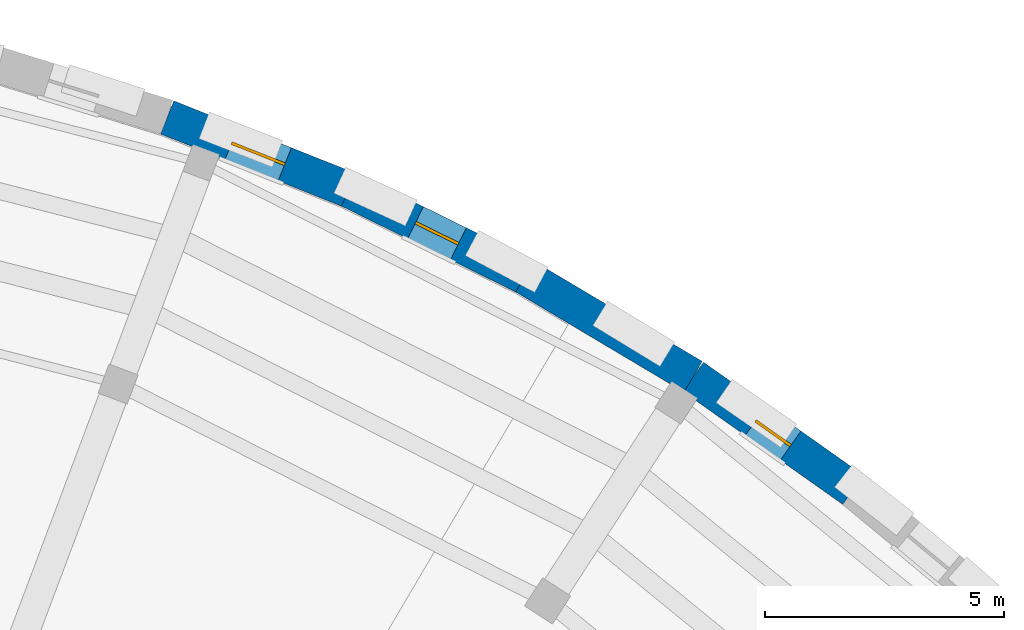
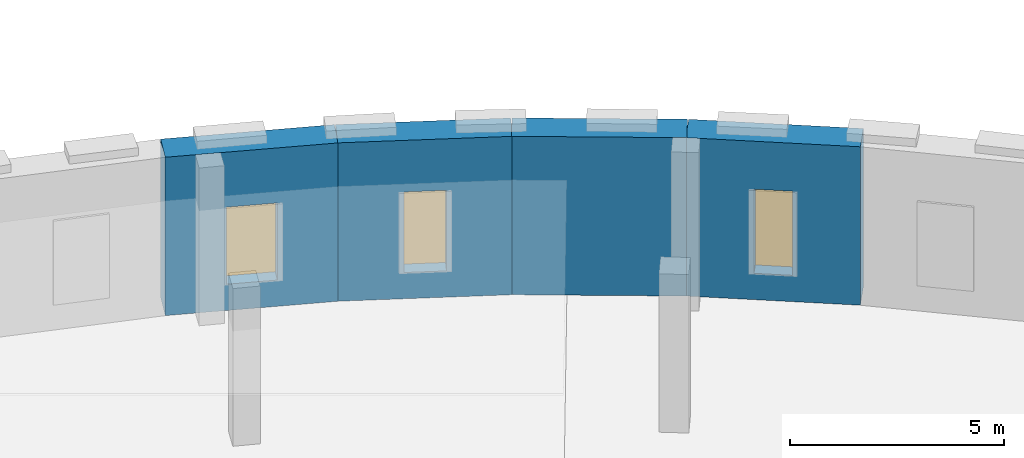
# One storey, part 59 of 75: 4 walls, 3 windows, 3 openings.
"""IFC4 building model written with IfcOpenShell, lengths in metres."""

import ifcopenshell
import ifcopenshell.guid

model = None  # the IFC model being written
_history = None  # IfcOwnerHistory: only IFC2X3 demands one
_inside = {}  # id of a spatial element -> (the spatial element, [elements in it])
_under = {}  # id of a project, library or spatial element -> (it, [spatial elements below it])
_declared = {}  # id of a project -> (the project, [libraries it declares])
_typed = {}  # id of a type object -> (the type object, [elements of that type])
_made_of = {}  # id of a material, layer set ... -> (it, [elements and type objects made of it])


def new_model(schema):
    """Start an empty IFC model of exactly this schema.

    Asked for "IFC4X3", IfcOpenShell would pick the latest addendum, in which some entities
    have other attributes; the version numbers below select the first issue.
    IFC2X3 requires an IfcOwnerHistory on every rooted entity: one is made here for all.
    """
    global model, _history
    if schema == "IFC4X3":
        model = ifcopenshell.file(schema_version=(4, 3, 0, 0))
    else:
        model = ifcopenshell.file(schema=schema)
    _inside.clear()
    _under.clear()
    _declared.clear()
    _typed.clear()
    _made_of.clear()
    _history = None
    if model.schema == "IFC2X3":
        org = make("IfcOrganization", Name="unknown")
        user = make(
            "IfcPersonAndOrganization",
            ThePerson=make("IfcPerson", FamilyName="unknown"),
            TheOrganization=org,
        )
        app = make(
            "IfcApplication",
            ApplicationDeveloper=org,
            Version="unknown",
            ApplicationFullName="unknown",
            ApplicationIdentifier="unknown",
        )
        _history = make(
            "IfcOwnerHistory",
            OwningUser=user,
            OwningApplication=app,
            ChangeAction="ADDED",
            CreationDate=0,
        )
    return model


def make(cls, **values):
    """One entity of the class cls with the attributes given. An attribute that is None is left unset."""
    return model.create_entity(
        cls, **{name: value for name, value in values.items() if value is not None}
    )


def rooted(cls, **values):
    """An entity with a GlobalId (a new one), such as an element, a storey or a relation."""
    return make(cls, GlobalId=ifcopenshell.guid.new(), OwnerHistory=_history, **values)


def si_unit(unit_type, name, prefix=None):
    """IfcSIUnit, for example si_unit("LENGTHUNIT", "METRE", prefix="MILLI")."""
    return make("IfcSIUnit", UnitType=unit_type, Prefix=prefix, Name=name)


def assignment(units):
    """IfcUnitAssignment: the units of a project."""
    return None if units is None else make("IfcUnitAssignment", Units=units)


def point(xyz):
    """IfcCartesianPoint."""
    return None if xyz is None else make("IfcCartesianPoint", Coordinates=xyz)


def direction(xyz):
    """IfcDirection."""
    return None if xyz is None else make("IfcDirection", DirectionRatios=xyz)


def frame(location, z_axis=None, x_axis=None):
    """IfcAxis2Placement3D, a coordinate frame: its origin and axes. An axis left out is left unset."""
    return make(
        "IfcAxis2Placement3D",
        Location=point(location),
        Axis=direction(z_axis),
        RefDirection=direction(x_axis),
    )


def frame_2d(location, x_axis=None):
    """IfcAxis2Placement2D, a coordinate frame in the plane: its origin and x axis."""
    return make(
        "IfcAxis2Placement2D", Location=point(location), RefDirection=direction(x_axis)
    )


def origin():
    """The frame at (0, 0, 0) with its axes left unset."""
    return frame((0.0, 0.0, 0.0))


def place(relative_to, where):
    """IfcLocalPlacement: puts the frame where relative to a parent placement (None: the world)."""
    return make(
        "IfcLocalPlacement", PlacementRelTo=relative_to, RelativePlacement=where
    )


def context(
    kind, dimensions, precision=None, world=None, true_north=None, identifier=None
):
    """IfcGeometricRepresentationContext, for example the 3D "Model" context."""
    return make(
        "IfcGeometricRepresentationContext",
        ContextIdentifier=identifier,
        ContextType=kind,
        CoordinateSpaceDimension=dimensions,
        Precision=precision,
        WorldCoordinateSystem=world,
        TrueNorth=true_north,
    )


def subcontext(parent, identifier, kind, view, scale=None):
    """IfcGeometricRepresentationSubContext, for example "Body" below "Model"."""
    return make(
        "IfcGeometricRepresentationSubContext",
        ContextIdentifier=identifier,
        ContextType=kind,
        ParentContext=parent,
        TargetScale=scale,
        TargetView=view,
    )


def project(units=None, contexts=None):
    """IfcProject with its units and contexts."""
    return rooted(
        "IfcProject",
        Name="project",
        RepresentationContexts=contexts,
        UnitsInContext=assignment(units),
    )


def spatial(cls, under=None, at=None, **own):
    """A site, building, storey or space (cls), placed at a placement, below another one or the project."""
    s = rooted(cls, ObjectPlacement=at, **own)
    if under is not None:
        _under.setdefault(under.id(), (under, []))[1].append(s)
    return s


def profile(cls, at=None, kind="AREA", **sizes):
    """A parametric profile (cls). Its sizes go by their IFC names, for example OverallWidth=200.0."""
    return make(cls, ProfileType=kind, Position=at, **sizes)


def rectangle(**sizes):
    """IfcRectangleProfileDef."""
    return profile("IfcRectangleProfileDef", **sizes)


def extrude(swept, where, along, depth):
    """IfcExtrudedAreaSolid: the profile swept, set in the frame where, extruded along a direction by depth."""
    return make(
        "IfcExtrudedAreaSolid",
        SweptArea=swept,
        Position=where,
        ExtrudedDirection=direction(along),
        Depth=depth,
    )


def shape(context_of_items, identifier, shape_type, items):
    """IfcShapeRepresentation: the items that make up one representation, for example the "Body"."""
    return make(
        "IfcShapeRepresentation",
        ContextOfItems=context_of_items,
        RepresentationIdentifier=identifier,
        RepresentationType=shape_type,
        Items=items,
    )


def material(Name=None, Category=None):
    """IfcMaterial."""
    return make("IfcMaterial", Name=Name, Category=Category)


def layer(
    of_material, thickness, ventilated=None, Name=None, Category=None, Priority=None
):
    """IfcMaterialLayer: one layer of a wall or slab, of a material (None: an air gap)."""
    return make(
        "IfcMaterialLayer",
        Material=of_material,
        LayerThickness=thickness,
        IsVentilated=ventilated,
        Name=Name,
        Category=Category,
        Priority=Priority,
    )


def layer_set(layers, Name=None):
    """IfcMaterialLayerSet."""
    return make("IfcMaterialLayerSet", MaterialLayers=layers, LayerSetName=Name)


def made_of(thing, what):
    """Note that an element or type object is made of a material, layer set ...; save() writes the relation."""
    if what is not None:
        _made_of.setdefault(what.id(), (what, []))[1].append(thing)
    return thing


def type_object(cls, material=None, **own):
    """A type object (cls), such as IfcWallType, which elements share."""
    return made_of(rooted(cls, **own), material)


def element(
    cls,
    number,
    at=None,
    inside=None,
    cuts=None,
    type_object=None,
    material=None,
    context=None,
    identifier="Body",
    shape_type=None,
    held_by="IfcProductDefinitionShape",
    body=None,
    shapes=None,
    **own,
):
    """One element of the class cls, such as IfcWall. Its Tag is "e" and its number.

    at: its placement. inside: the storey or other place that contains it. cuts: it is an
    opening in that element (IfcRelVoidsElement). A single representation is given by context,
    identifier, shape_type and body (its items); several are given by shapes. held_by: the class
    of the entity that holds the representations. save() writes the other relations.
    """
    e = rooted(cls, Tag="e%d" % number, ObjectPlacement=at, **own)
    if body is not None:
        shapes = [shape(context, identifier, shape_type, body)]
    if shapes is not None:
        e.Representation = make(held_by, Representations=shapes)
    if inside is not None:
        _inside.setdefault(inside.id(), (inside, []))[1].append(e)
    if cuts is not None:
        rooted(
            "IfcRelVoidsElement", RelatingBuildingElement=cuts, RelatedOpeningElement=e
        )
    if type_object is not None:
        _typed.setdefault(type_object.id(), (type_object, []))[1].append(e)
    return made_of(e, material)


def fill(opening, filler):
    """IfcRelFillsElement: the door or window that sits in an opening."""
    return rooted(
        "IfcRelFillsElement",
        RelatingOpeningElement=opening,
        RelatedBuildingElement=filler,
    )


def aggregate(whole, parts):
    """IfcRelAggregates: a whole, such as a stair, and the parts it consists of."""
    return rooted("IfcRelAggregates", RelatingObject=whole, RelatedObjects=parts)


def save(model, path):
    """Write the relations noted so far, then the file.

    IfcRelAggregates (storeys below a building ...), IfcRelContainedInSpatialStructure (elements
    in a storey), IfcRelDefinesByType, IfcRelAssociatesMaterial and IfcRelDeclares: one each for
    every whole, place, type object, material and project.
    """
    for whole, parts in _under.values():
        aggregate(whole, parts)
    for where, things in _inside.values():
        rooted(
            "IfcRelContainedInSpatialStructure",
            RelatedElements=things,
            RelatingStructure=where,
        )
    for kind, things in _typed.values():
        rooted("IfcRelDefinesByType", RelatedObjects=things, RelatingType=kind)
    for what, things in _made_of.values():
        rooted("IfcRelAssociatesMaterial", RelatedObjects=things, RelatingMaterial=what)
    for by, libraries in _declared.values():
        rooted("IfcRelDeclares", RelatingContext=by, RelatedDefinitions=libraries)
    model.write(path)


model = new_model("IFC4")

# Units and contexts
model_context = context("Model", 3, precision=1e-05, world=origin(), true_north=direction((0.0, 1.0)))
body_context = subcontext(model_context, "Body", "Model", "MODEL_VIEW")
ifc_project = project(units=[si_unit("LENGTHUNIT", "METRE"), si_unit("AREAUNIT", "SQUARE_METRE"), si_unit("VOLUMEUNIT", "CUBIC_METRE"), si_unit("PLANEANGLEUNIT", "RADIAN"), si_unit("MASSUNIT", "GRAM", prefix="KILO")], contexts=[model_context])

# Site, building, storey
site_placement = place(None, origin())
site = spatial("IfcSite", under=ifc_project, at=site_placement, CompositionType="ELEMENT")
building_placement = place(site_placement, origin())
building = spatial("IfcBuilding", under=site, at=building_placement, Name="Soyqirgoq Riverine Aquarium", CompositionType="ELEMENT")
storey_placement = place(building_placement, frame((0.0, 0.0, 10.199951171875)))
storey = spatial("IfcBuildingStorey", under=building, at=storey_placement, Name="L03", CompositionType="ELEMENT", Elevation=10.199951171875)

# Wall, opening, window
ifc_material_1 = material(Name="Honed travertine limestone cavity wall", Category="masonry")
ifc_layer = layer(ifc_material_1, 0.75)
ifc_layer_set = layer_set([ifc_layer], Name="Honed travertine limestone cavity wall")
wall_type = type_object("IfcWallType", Name="TravertineNicheWall_750", PredefinedType="SOLIDWALL", material=ifc_layer_set)
wall_1_placement = place(storey_placement, frame((73.44140625, 106.2529296875, 0.0), z_axis=(0.0, 0.0, 1.0), x_axis=(0.928788263231, -0.370610795964, 0.0)))
wall_1 = element("IfcWall", 1, at=wall_1_placement, inside=storey, type_object=wall_type, Name="V5 L03 Exterior Travertine Wall 0289", PredefinedType="SOLIDWALL", context=body_context, shape_type="SweptSolid", body=[
    extrude(rectangle(XDim=4.102783203125, YDim=0.75, at=frame_2d((2.05126953125, 0.0))), origin(), (0.0, 0.0, 1.0), 4.52001953125),
])
opening_1_placement = place(wall_1_placement, frame((1.451416015625, 0.0, 0.75)))
opening_1 = element("IfcOpeningElement", 2, at=opening_1_placement, cuts=wall_1, Name="Opening WN-03", PredefinedType="OPENING", context=body_context, shape_type="SweptSolid", body=[
    extrude(rectangle(XDim=1.199951171875, YDim=2.199951171875, at=frame_2d((0.60009765625, 1.10009765625))), frame((0.0, 0.385009765625, 0.0), z_axis=(0.0, -1.0, 0.0), x_axis=(1.0, 0.0, 0.0)), (0.0, 0.0, 1.0), 0.77001953125),
])
ifc_material_2 = material(Name="Thermally broken aluminium triple low-E window", Category="aluminium")
window_type_1 = type_object("IfcWindowType", Name="Win_Niche_1200x2200", PartitioningType="DOUBLE_PANEL_VERTICAL", PredefinedType="WINDOW", material=ifc_material_2)
window_1_placement = place(opening_1_placement, origin())
window_1 = element("IfcWindow", 3, at=window_1_placement, inside=storey, type_object=window_type_1, Name="V5 L03 Facade Window 0234", OverallHeight=2.199951171875, OverallWidth=1.199951171875, PartitioningType="DOUBLE_PANEL_VERTICAL", PredefinedType="WINDOW", context=body_context, shape_type="SweptSolid", body=[
    extrude(rectangle(XDim=1.199951171875, YDim=2.199951171875, at=frame_2d((0.60009765625, 1.10009765625))), frame((0.0, 0.030029296875, 0.0), z_axis=(0.0, -1.0, 0.0), x_axis=(1.0, 0.0, 0.0)), (0.0, 0.0, 1.0), 0.06005859375),
])
fill(opening_1, window_1)

wall_2_placement = place(storey_placement, frame((77.251953125, 104.732421875, 0.0), z_axis=(0.0, 0.0, 1.0), x_axis=(0.896877337999, -0.442279369385, 0.0)))
wall_2 = element("IfcWall", 4, at=wall_2_placement, inside=storey, type_object=wall_type, Name="V5 L03 Exterior Travertine Wall 0290", PredefinedType="SOLIDWALL", context=body_context, shape_type="SweptSolid", body=[
    extrude(rectangle(XDim=4.1025390625, YDim=0.75, at=frame_2d((2.05126953125, 0.0))), origin(), (0.0, 0.0, 1.0), 4.52001953125),
])
opening_2_placement = place(wall_2_placement, frame((1.55126953125, 0.0, 0.75)))
opening_2 = element("IfcOpeningElement", 5, at=opening_2_placement, cuts=wall_2, Name="Opening WN-11", PredefinedType="OPENING", context=body_context, shape_type="SweptSolid", body=[
    extrude(rectangle(XDim=1.0, YDim=2.300048828125, at=frame_2d((0.5, 1.14990234375))), frame((0.0, 0.385009765625, 0.0), z_axis=(0.0, -1.0, 0.0), x_axis=(1.0, 0.0, 0.0)), (0.0, 0.0, 1.0), 0.77001953125),
])
ifc_material_3 = material(Name="Thermally broken aluminium triple low-E window", Category="aluminium")
window_type_2 = type_object("IfcWindowType", Name="Win_Niche_1000x2300", PartitioningType="SINGLE_PANEL", PredefinedType="WINDOW", material=ifc_material_3)
window_2_placement = place(opening_2_placement, origin())
window_2 = element("IfcWindow", 6, at=window_2_placement, inside=storey, type_object=window_type_2, Name="V5 L03 Facade Window 0235", OverallHeight=2.300048828125, OverallWidth=1.0, PartitioningType="SINGLE_PANEL", PredefinedType="WINDOW", context=body_context, shape_type="SweptSolid", body=[
    extrude(rectangle(XDim=1.0, YDim=2.300048828125, at=frame_2d((0.5, 1.14990234375))), frame((0.0, 0.030029296875, 0.0), z_axis=(0.0, -1.0, 0.0), x_axis=(1.0, 0.0, 0.0)), (0.0, 0.0, 1.0), 0.06005859375),
])
fill(opening_2, window_2)

# Wall
wall_3_placement = place(storey_placement, frame((80.931396484375, 102.91796875, 0.0), z_axis=(0.0, 0.0, 1.0), x_axis=(0.859408689216, -0.511289257564, 0.0)))
element("IfcWall", 7, at=wall_3_placement, inside=storey, type_object=wall_type, Name="V5 L03 Exterior Travertine Wall 0291", PredefinedType="SOLIDWALL", context=body_context, shape_type="SweptSolid", body=[
    extrude(rectangle(XDim=4.102783203125, YDim=0.75, at=frame_2d((2.05126953125, 0.0))), origin(), (0.0, 0.0, 1.0), 4.52001953125),
])

# Wall, opening, window
wall_4_placement = place(storey_placement, frame((84.457275390625, 100.8203125, 0.0), z_axis=(0.0, 0.0, 1.0), x_axis=(0.816654387976, -0.577127031596, 0.0)))
wall_4 = element("IfcWall", 8, at=wall_4_placement, inside=storey, type_object=wall_type, Name="V5 L03 Exterior Travertine Wall 0292", PredefinedType="SOLIDWALL", context=body_context, shape_type="SweptSolid", body=[
    extrude(rectangle(XDim=4.1025390625, YDim=0.75, at=frame_2d((2.05126953125, 0.0))), origin(), (0.0, 0.0, 1.0), 4.52001953125),
])
opening_3_placement = place(wall_4_placement, frame((1.601318359375, 0.0, 0.75)))
opening_3 = element("IfcOpeningElement", 9, at=opening_3_placement, cuts=wall_4, Name="Opening WN-01", PredefinedType="OPENING", context=body_context, shape_type="SweptSolid", body=[
    extrude(rectangle(XDim=0.89990234375, YDim=2.39990234375, at=frame_2d((0.449951171875, 1.199951171875))), frame((0.0, 0.385009765625, 0.0), z_axis=(0.0, -1.0, 0.0), x_axis=(1.0, 0.0, 0.0)), (0.0, 0.0, 1.0), 0.77001953125),
])
ifc_material_4 = material(Name="Thermally broken aluminium triple low-E window", Category="aluminium")
window_type_3 = type_object("IfcWindowType", Name="Win_Niche_900x2400", PartitioningType="SINGLE_PANEL", PredefinedType="WINDOW", material=ifc_material_4)
window_3_placement = place(opening_3_placement, origin())
window_3 = element("IfcWindow", 10, at=window_3_placement, inside=storey, type_object=window_type_3, Name="V5 L03 Facade Window 0236", OverallHeight=2.39990234375, OverallWidth=0.89990234375, PartitioningType="SINGLE_PANEL", PredefinedType="WINDOW", context=body_context, shape_type="SweptSolid", body=[
    extrude(rectangle(XDim=0.89990234375, YDim=2.39990234375, at=frame_2d((0.449951171875, 1.199951171875))), frame((0.0, 0.030029296875, 0.0), z_axis=(0.0, -1.0, 0.0), x_axis=(1.0, 0.0, 0.0)), (0.0, 0.0, 1.0), 0.06005859375),
])
fill(opening_3, window_3)

save(model, "model.ifc")
